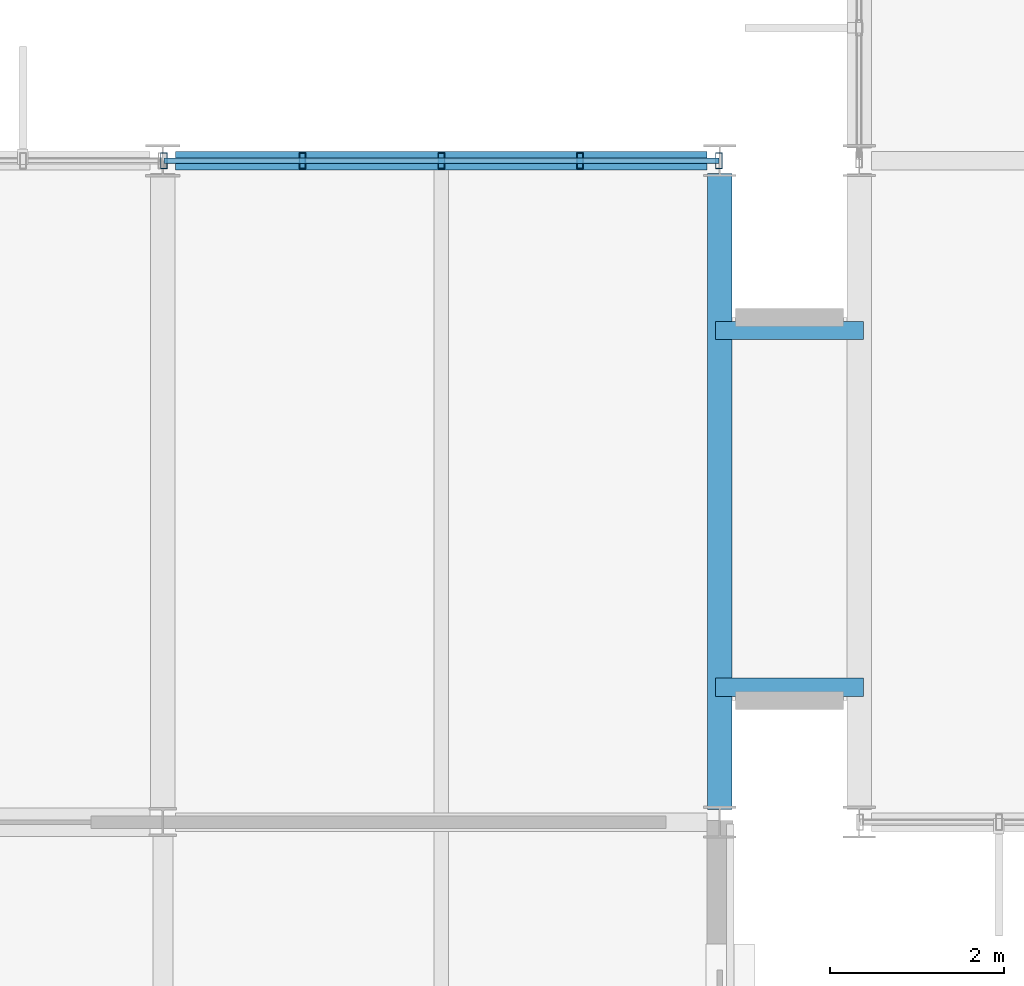
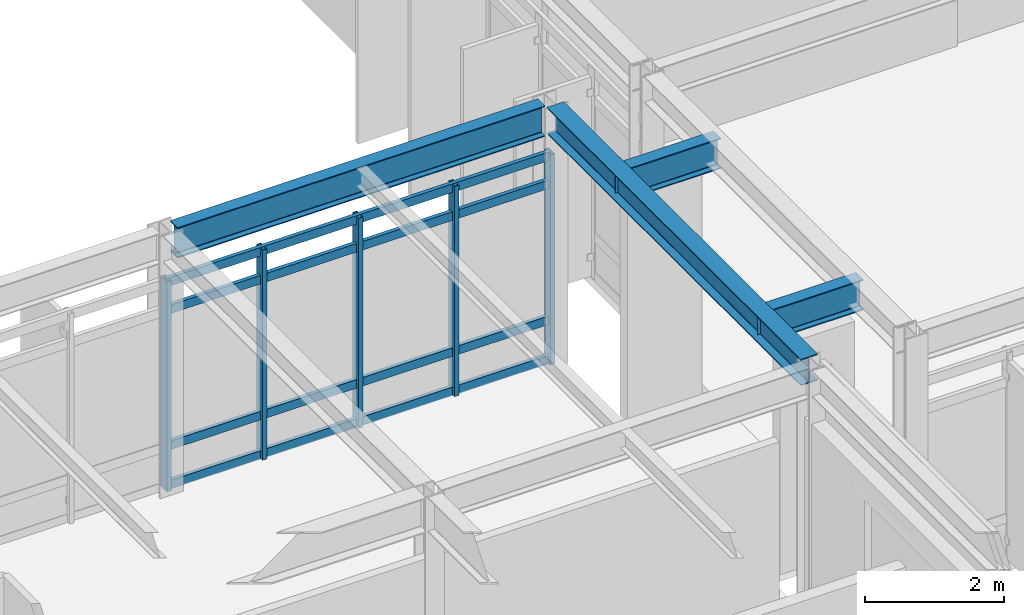
# One storey, part 31 of 100: 9 members, 4 beams, 1 element without a shape of its own.
"""IFC4 building model written with IfcOpenShell, lengths in metres."""

from ifc_helpers import new_model, si_unit, direction, frame, origin, origin_2d, place, context, subcontext, project, spatial, hollow_rectangle, i_section, extrude, material, material_profile, profile_set, type_object, element, aggregate, save


model = new_model("IFC4")

# Units and contexts
model_context = context("Model", 3, precision=1e-05, world=origin(), true_north=direction((0.0, 1.0)))
body_context = subcontext(model_context, "Body", "Model", "MODEL_VIEW")
ifc_project = project(units=[si_unit("LENGTHUNIT", "METRE"), si_unit("AREAUNIT", "SQUARE_METRE"), si_unit("VOLUMEUNIT", "CUBIC_METRE"), si_unit("PLANEANGLEUNIT", "RADIAN"), si_unit("MASSUNIT", "GRAM", prefix="KILO")], contexts=[model_context])

# Site, building, storey
site_placement = place(None, origin())
site = spatial("IfcSite", under=ifc_project, at=site_placement, CompositionType="ELEMENT")
building_placement = place(site_placement, origin())
building = spatial("IfcBuilding", under=site, at=building_placement, Name="Zulena Civic Courthouse", CompositionType="ELEMENT")
storey_placement = place(building_placement, frame((0.0, 0.0, 20.39990234375)))
storey = spatial("IfcBuildingStorey", under=building, at=storey_placement, Name="L04", CompositionType="ELEMENT", Elevation=20.39990234375)

# Beams
ifc_material_1 = material(Name="Steel ASTM A992 Grade 50", Category="steel")
ifc_material_profile_1 = material_profile(ifc_material_1, i_section(OverallWidth=0.2099609375, OverallDepth=0.537109375, WebThickness=0.010986328125, FlangeThickness=0.017333984375, FilletRadius=0.0126953125, at=origin_2d()), Name="W21X68")
ifc_profile_set_1 = profile_set([ifc_material_profile_1], Name="Steel ASTM A992 Grade 50")
beam_type_1 = type_object("IfcBeamType", Name="BridgeGirder_W21X68", PredefinedType="BEAM", material=ifc_profile_set_1)
for number, where, z_axis, x_axis, name in (
    (1, (66.35009765625, 16.75, 4.316650390625), (1.0, 0.0, 0.0), (0.0, 1.0, 0.0), "beam:bridgeroof:BR-24:16.75"),
    (2, (66.35009765625, 20.85009765625, 4.316650390625), (1.0, 0.0, 0.0), (0.0, 1.0, 0.0), "beam:bridgeroof:BR-24:20.85"),
):
    element("IfcBeam", number, at=place(storey_placement, frame(where, z_axis=z_axis, x_axis=x_axis)), inside=storey, type_object=beam_type_1, Name=name, PredefinedType="BEAM", context=body_context, shape_type="SweptSolid", body=[
        extrude(i_section(OverallWidth=0.2099609375, OverallDepth=0.537109375, WebThickness=0.010986328125, FlangeThickness=0.017333984375, FilletRadius=0.0126953125, at=origin_2d()), origin(), (0.0, 0.0, 1.0), 1.699951171875),
    ])

# Curtain wall, members
ifc_material_2 = material(Name="Double-silver low-E laminated solar-control glass", Category="glass")
curtain_wall_type = type_object("IfcCurtainWallType", Name="CW_6376x3690", PredefinedType="USERDEFINED", material=ifc_material_2)
curtain_wall_placement = place(storey_placement, origin())
curtain_wall = element("IfcCurtainWall", 3, at=curtain_wall_placement, inside=storey, type_object=curtain_wall_type, Name="cw:V2:L04:1:7", ObjectType="UNITISED CURTAIN WALL", PredefinedType="USERDEFINED")
ifc_material_3 = material(Name="Bronze anodised thermally broken aluminium AA6063-T6", Category="aluminium")
ifc_material_profile_2 = material_profile(ifc_material_3, hollow_rectangle(XDim=0.074951171875, YDim=0.179931640625, WallThickness=0.0048828125, at=origin_2d()), Name="CWM180X75X5")
ifc_profile_set_2 = profile_set([ifc_material_profile_2], Name="Bronze anodised thermally broken aluminium AA6063-T6")
member_type_1 = type_object("IfcMemberType", Name="CWMullion_180x75", PredefinedType="MULLION", material=ifc_profile_set_2)
member_1_placement = place(storey_placement, frame((60.011962890625, 22.800048828125, 0.0), z_axis=(0.0, 0.0, 1.0), x_axis=(1.0, 0.0, 0.0)))
member_1 = element("IfcMember", 4, at=member_1_placement, type_object=member_type_1, Name="cw:V2:L04:1:7:mull:0", PredefinedType="MULLION", context=body_context, shape_type="SweptSolid", body=[
    extrude(hollow_rectangle(XDim=0.074951171875, YDim=0.179931640625, WallThickness=0.0048828125, at=origin_2d()), origin(), (0.0, 0.0, 1.0), 3.690185546875),
])
member_2_placement = place(storey_placement, frame((61.60595703125, 22.800048828125, 0.0), z_axis=(0.0, 0.0, 1.0), x_axis=(1.0, 0.0, 0.0)))
member_2 = element("IfcMember", 5, at=member_2_placement, type_object=member_type_1, Name="cw:V2:L04:1:7:mull:1", PredefinedType="MULLION", context=body_context, shape_type="SweptSolid", body=[
    extrude(hollow_rectangle(XDim=0.074951171875, YDim=0.179931640625, WallThickness=0.0048828125, at=origin_2d()), origin(), (0.0, 0.0, 1.0), 3.690185546875),
])
member_3_placement = place(storey_placement, frame((63.199951171875, 22.800048828125, 0.0), z_axis=(0.0, 0.0, 1.0), x_axis=(1.0, 0.0, 0.0)))
member_3 = element("IfcMember", 6, at=member_3_placement, type_object=member_type_1, Name="cw:V2:L04:1:7:mull:2", PredefinedType="MULLION", context=body_context, shape_type="SweptSolid", body=[
    extrude(hollow_rectangle(XDim=0.074951171875, YDim=0.179931640625, WallThickness=0.0048828125, at=origin_2d()), origin(), (0.0, 0.0, 1.0), 3.690185546875),
])
member_4_placement = place(storey_placement, frame((64.7939453125, 22.800048828125, 0.0), z_axis=(0.0, 0.0, 1.0), x_axis=(1.0, 0.0, 0.0)))
member_4 = element("IfcMember", 7, at=member_4_placement, type_object=member_type_1, Name="cw:V2:L04:1:7:mull:3", PredefinedType="MULLION", context=body_context, shape_type="SweptSolid", body=[
    extrude(hollow_rectangle(XDim=0.074951171875, YDim=0.179931640625, WallThickness=0.0048828125, at=origin_2d()), origin(), (0.0, 0.0, 1.0), 3.690185546875),
])
member_5_placement = place(storey_placement, frame((66.387939453125, 22.800048828125, 0.0), z_axis=(0.0, 0.0, 1.0), x_axis=(1.0, 0.0, 0.0)))
member_5 = element("IfcMember", 8, at=member_5_placement, type_object=member_type_1, Name="cw:V2:L04:1:7:mull:4", PredefinedType="MULLION", context=body_context, shape_type="SweptSolid", body=[
    extrude(hollow_rectangle(XDim=0.074951171875, YDim=0.179931640625, WallThickness=0.0048828125, at=origin_2d()), origin(), (0.0, 0.0, 1.0), 3.690185546875),
])
ifc_material_profile_3 = material_profile(ifc_material_3, hollow_rectangle(XDim=0.06494140625, YDim=0.14990234375, WallThickness=0.00390625, at=origin_2d()), Name="CWT150X65X4")
ifc_profile_set_3 = profile_set([ifc_material_profile_3], Name="Bronze anodised thermally broken aluminium AA6063-T6")
member_type_2 = type_object("IfcMemberType", Name="CWTransom_150x65", PredefinedType="USERDEFINED", material=ifc_profile_set_3)
member_6_placement = place(storey_placement, frame((60.011962890625, 22.800048828125, 0.06005859375), z_axis=(1.0, 0.0, 0.0), x_axis=(0.0, 1.0, 0.0)))
member_6 = element("IfcMember", 9, at=member_6_placement, type_object=member_type_2, Name="cw:V2:L04:1:7:tran:0", ObjectType="TRANSOM", PredefinedType="USERDEFINED", context=body_context, shape_type="SweptSolid", body=[
    extrude(hollow_rectangle(XDim=0.06494140625, YDim=0.14990234375, WallThickness=0.00390625, at=origin_2d()), origin(), (0.0, 0.0, 1.0), 6.3759765625),
])
member_7_placement = place(storey_placement, frame((60.011962890625, 22.800048828125, 0.75), z_axis=(1.0, 0.0, 0.0), x_axis=(0.0, 1.0, 0.0)))
member_7 = element("IfcMember", 10, at=member_7_placement, type_object=member_type_2, Name="cw:V2:L04:1:7:tran:1", ObjectType="TRANSOM", PredefinedType="USERDEFINED", context=body_context, shape_type="SweptSolid", body=[
    extrude(hollow_rectangle(XDim=0.06494140625, YDim=0.14990234375, WallThickness=0.00390625, at=origin_2d()), origin(), (0.0, 0.0, 1.0), 6.3759765625),
])
member_8_placement = place(storey_placement, frame((60.011962890625, 22.800048828125, 3.14013671875), z_axis=(1.0, 0.0, 0.0), x_axis=(0.0, 1.0, 0.0)))
member_8 = element("IfcMember", 11, at=member_8_placement, type_object=member_type_2, Name="cw:V2:L04:1:7:tran:2", ObjectType="TRANSOM", PredefinedType="USERDEFINED", context=body_context, shape_type="SweptSolid", body=[
    extrude(hollow_rectangle(XDim=0.06494140625, YDim=0.14990234375, WallThickness=0.00390625, at=origin_2d()), origin(), (0.0, 0.0, 1.0), 6.3759765625),
])
member_9_placement = place(storey_placement, frame((60.011962890625, 22.800048828125, 3.630126953125), z_axis=(1.0, 0.0, 0.0), x_axis=(0.0, 1.0, 0.0)))
member_9 = element("IfcMember", 12, at=member_9_placement, type_object=member_type_2, Name="cw:V2:L04:1:7:tran:3", ObjectType="TRANSOM", PredefinedType="USERDEFINED", context=body_context, shape_type="SweptSolid", body=[
    extrude(hollow_rectangle(XDim=0.06494140625, YDim=0.14990234375, WallThickness=0.00390625, at=origin_2d()), origin(), (0.0, 0.0, 1.0), 6.3759765625),
])
aggregate(curtain_wall, [member_1, member_2, member_3, member_4, member_5, member_6, member_7, member_8, member_9])

# Beams
ifc_material_profile_4 = material_profile(ifc_material_1, i_section(OverallWidth=0.280029296875, OverallDepth=0.462890625, WebThickness=0.0107421875, FlangeThickness=0.017333984375, FilletRadius=0.01025390625, at=origin_2d()), Name="W18X76")
ifc_profile_set_4 = profile_set([ifc_material_profile_4], Name="Steel ASTM A992 Grade 50")
beam_type_2 = type_object("IfcBeamType", Name="Spandrel_W18X76", PredefinedType="SPANDREL", material=ifc_profile_set_4)
beam_1_placement = place(storey_placement, frame((66.39990234375, 15.344970703125, 4.363525390625), z_axis=(0.0, 1.0, 0.0), x_axis=(-1.0, 0.0, 0.0)))
element("IfcBeam", 13, at=beam_1_placement, inside=storey, type_object=beam_type_2, Name="beam:Y:V2:L04:66.4:15.2_22.8", PredefinedType="SPANDREL", context=body_context, shape_type="SweptSolid", body=[
    extrude(i_section(OverallWidth=0.280029296875, OverallDepth=0.462890625, WebThickness=0.0107421875, FlangeThickness=0.017333984375, FilletRadius=0.01025390625, at=origin_2d()), origin(), (0.0, 0.0, 1.0), 7.31005859375),
])
ifc_material_profile_5 = material_profile(ifc_material_1, i_section(OverallWidth=0.2099609375, OverallDepth=0.537109375, WebThickness=0.010986328125, FlangeThickness=0.017333984375, FilletRadius=0.0126953125, at=origin_2d()), Name="W21X68")
ifc_profile_set_5 = profile_set([ifc_material_profile_5], Name="Steel ASTM A992 Grade 50")
beam_type_3 = type_object("IfcBeamType", Name="Spandrel_W21X68", PredefinedType="SPANDREL", material=ifc_profile_set_5)
beam_2_placement = place(storey_placement, frame((60.14501953125, 22.800048828125, 4.32666015625), z_axis=(1.0, 0.0, 0.0), x_axis=(0.0, 1.0, 0.0)))
element("IfcBeam", 14, at=beam_2_placement, inside=storey, type_object=beam_type_3, Name="beam:X:V2:L04:22.8:60.0_66.4", PredefinedType="SPANDREL", context=body_context, shape_type="SweptSolid", body=[
    extrude(i_section(OverallWidth=0.2099609375, OverallDepth=0.537109375, WebThickness=0.010986328125, FlangeThickness=0.017333984375, FilletRadius=0.0126953125, at=origin_2d()), origin(), (0.0, 0.0, 1.0), 6.10986328125),
])

save(model, "model.ifc")
